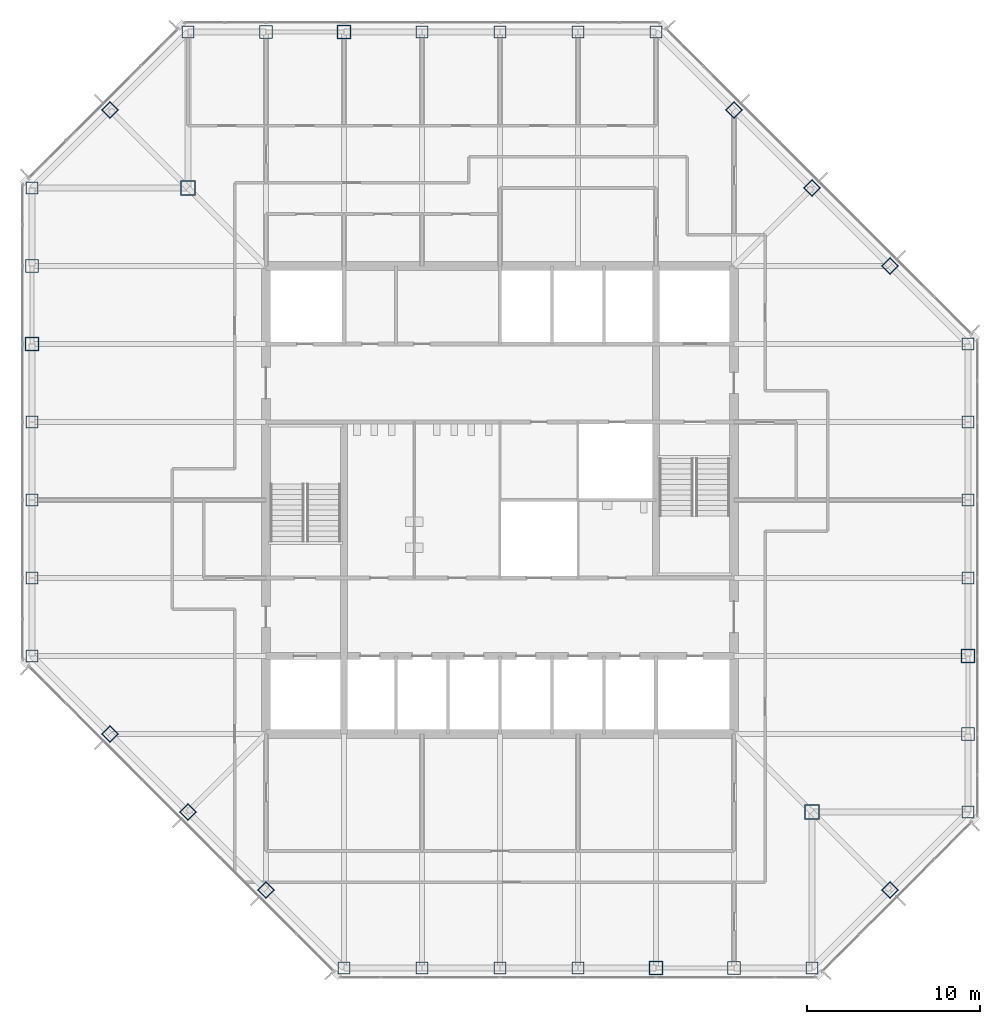
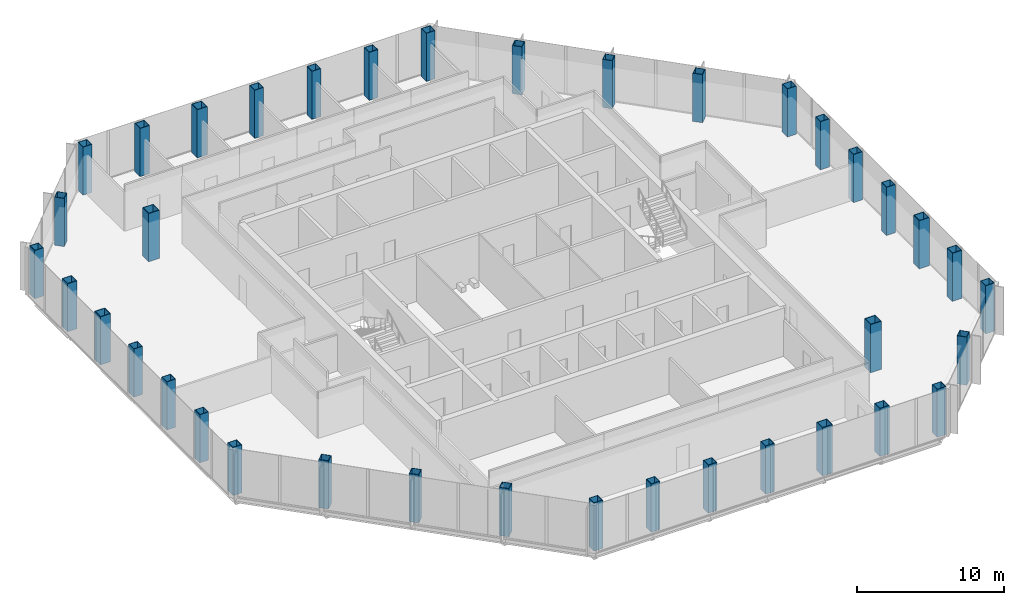
# One storey, part 1 of 13: 38 columns.
"""IFC4 building model written with IfcOpenShell, lengths in metres."""

from ifc_helpers import new_model, si_unit, direction, frame, origin, origin_2d, place, context, subcontext, project, spatial, hollow_rectangle, extrude, material, material_profile, profile_set, type_object, element, save


model = new_model("IFC4")

# Units and contexts
model_context = context("Model", 3, precision=1e-05, world=origin(), true_north=direction((0.0, 1.0)))
body_context = subcontext(model_context, "Body", "Model", "MODEL_VIEW")
ifc_project = project(units=[si_unit("LENGTHUNIT", "METRE"), si_unit("AREAUNIT", "SQUARE_METRE"), si_unit("VOLUMEUNIT", "CUBIC_METRE"), si_unit("PLANEANGLEUNIT", "RADIAN"), si_unit("MASSUNIT", "GRAM", prefix="KILO")], contexts=[model_context])

# Site, building, storey
site_placement = place(None, origin())
site = spatial("IfcSite", under=ifc_project, at=site_placement, CompositionType="ELEMENT")
building_placement = place(site_placement, origin())
building = spatial("IfcBuilding", under=site, at=building_placement, Name="Corais Broadcast Tower", CompositionType="ELEMENT")
storey_placement = place(building_placement, frame((0.0, 0.0, 167.60009765625)))
storey = spatial("IfcBuildingStorey", under=building, at=storey_placement, Name="L38", CompositionType="ELEMENT", Elevation=167.60009765625)

# Columns
ifc_material_1 = material(Name="Steel ASTM A572 Grade 50", Category="steel")
ifc_material_profile_1 = material_profile(ifc_material_1, hollow_rectangle(XDim=0.699951171875, YDim=0.699951171875, WallThickness=0.035888671875, at=origin_2d()), Name="BOX 700x700x36")
ifc_profile_set_1 = profile_set([ifc_material_profile_1], Name="Steel ASTM A572 Grade 50")
column_type_1 = type_object("IfcColumnType", Name="Column BOX 700x700x36", PredefinedType="COLUMN", material=ifc_profile_set_1)
for number, where, z_axis, x_axis, name in (
    (1, (18.0, 0.0, 0.0), (0.0, 0.0, 1.0), (1.0, 0.0, 0.0), "C5 A/7"),
    (2, (22.5, 0.0, 0.0), (0.0, 0.0, 1.0), (1.0, 0.0, 0.0), "C5 A/8"),
    (3, (27.0, 0.0, 0.0), (0.0, 0.0, 1.0), (1.0, 0.0, 0.0), "C5 A/9"),
    (4, (31.5, 0.0, 0.0), (0.0, 0.0, 1.0), (1.0, 0.0, 0.0), "C5 A/10"),
    (5, (45.0, 0.0, 0.0), (0.0, 0.0, 1.0), (1.0, 0.0, 0.0), "C5 A/13"),
    (6, (54.0, 9.0, 0.0), (0.0, 0.0, 1.0), (1.0, 0.0, 0.0), "C5 C/15"),
    (7, (54.0, 22.5, 0.0), (0.0, 0.0, 1.0), (1.0, 0.0, 0.0), "C5 F/15"),
    (8, (54.0, 27.0, 0.0), (0.0, 0.0, 1.0), (1.0, 0.0, 0.0), "C5 G/15"),
    (9, (54.0, 31.5, 0.0), (0.0, 0.0, 1.0), (1.0, 0.0, 0.0), "C5 H/15"),
    (10, (54.0, 36.0, 0.0), (0.0, 0.0, 1.0), (1.0, 0.0, 0.0), "C5 J/15"),
    (11, (36.0, 54.0, 0.0), (0.0, 0.0, 1.0), (1.0, 0.0, 0.0), "C5 N/11"),
    (12, (31.5, 54.0, 0.0), (0.0, 0.0, 1.0), (1.0, 0.0, 0.0), "C5 N/10"),
    (13, (27.0, 54.0, 0.0), (0.0, 0.0, 1.0), (1.0, 0.0, 0.0), "C5 N/9"),
    (14, (22.5, 54.0, 0.0), (0.0, 0.0, 1.0), (1.0, 0.0, 0.0), "C5 N/8"),
    (15, (9.0, 54.0, 0.0), (0.0, 0.0, 1.0), (1.0, 0.0, 0.0), "C5 N/5"),
    (16, (0.0, 45.0, 0.0), (0.0, 0.0, 1.0), (1.0, 0.0, 0.0), "C5 L/3"),
    (17, (0.0, 31.5, 0.0), (0.0, 0.0, 1.0), (1.0, 0.0, 0.0), "C5 H/3"),
    (18, (0.0, 27.0, 0.0), (0.0, 0.0, 1.0), (1.0, 0.0, 0.0), "C5 G/3"),
    (19, (0.0, 22.5, 0.0), (0.0, 0.0, 1.0), (1.0, 0.0, 0.0), "C5 F/3"),
    (20, (0.0, 18.0, 0.0), (0.0, 0.0, 1.0), (1.0, 0.0, 0.0), "C5 E/3"),
    (21, (13.5, 4.5, 0.0), (0.0, 0.0, 1.0), (0.707106781187, 0.707106781187, 0.0), "C5 B/6"),
    (22, (9.0, 9.0, 0.0), (0.0, 0.0, 1.0), (0.707106781187, 0.707106781187, 0.0), "C5 C/5"),
    (23, (4.5, 13.5, 0.0), (0.0, 0.0, 1.0), (0.707106781187, 0.707106781187, 0.0), "C5 D/4"),
    (24, (49.5, 4.5, 0.0), (0.0, 0.0, 1.0), (0.707106781187, 0.707106781187, 0.0), "C5 B/14"),
    (25, (49.5, 40.5, 0.0), (0.0, 0.0, 1.0), (0.707106781187, 0.707106781187, 0.0), "C5 K/14"),
    (26, (45.0, 45.0, 0.0), (0.0, 0.0, 1.0), (0.707106781187, 0.707106781187, 0.0), "C5 L/13"),
    (27, (40.5, 49.5, 0.0), (0.0, 0.0, 1.0), (0.707106781187, 0.707106781187, 0.0), "C5 M/12"),
    (28, (4.5, 49.5, 0.0), (0.0, 0.0, 1.0), (0.707106781187, 0.707106781187, 0.0), "C5 M/4"),
):
    element("IfcColumn", number, at=place(storey_placement, frame(where, z_axis=z_axis, x_axis=x_axis)), inside=storey, type_object=column_type_1, Name=name, PredefinedType="COLUMN", context=body_context, shape_type="SweptSolid", body=[
        extrude(hollow_rectangle(XDim=0.699951171875, YDim=0.699951171875, WallThickness=0.035888671875, at=origin_2d()), origin(), (0.0, 0.0, 1.0), 4.0),
    ])
ifc_material_2 = material(Name="Steel ASTM A572 Grade 50", Category="steel")
ifc_material_profile_2 = material_profile(ifc_material_2, hollow_rectangle(XDim=0.75, YDim=0.75, WallThickness=0.0400390625, at=origin_2d()), Name="BOX 750x750x40")
ifc_profile_set_2 = profile_set([ifc_material_profile_2], Name="Steel ASTM A572 Grade 50")
column_type_2 = type_object("IfcColumnType", Name="Column BOX 750x750x40", PredefinedType="COLUMN", material=ifc_profile_set_2)
for number, where, z_axis, x_axis, name in (
    (29, (40.5, 0.0, 0.0), (0.0, 0.0, 1.0), (1.0, 0.0, 0.0), "C4 A/12"),
    (30, (54.0, 13.5, 0.0), (0.0, 0.0, 1.0), (1.0, 0.0, 0.0), "C4 D/15"),
    (31, (13.5, 54.0, 0.0), (0.0, 0.0, 1.0), (1.0, 0.0, 0.0), "C4 N/6"),
    (32, (0.0, 40.5, 0.0), (0.0, 0.0, 1.0), (1.0, 0.0, 0.0), "C4 K/3"),
):
    element("IfcColumn", number, at=place(storey_placement, frame(where, z_axis=z_axis, x_axis=x_axis)), inside=storey, type_object=column_type_2, Name=name, PredefinedType="COLUMN", context=body_context, shape_type="SweptSolid", body=[
        extrude(hollow_rectangle(XDim=0.75, YDim=0.75, WallThickness=0.0400390625, at=origin_2d()), origin(), (0.0, 0.0, 1.0), 4.0),
    ])
ifc_material_3 = material(Name="Steel ASTM A572 Grade 50", Category="steel")
ifc_material_profile_3 = material_profile(ifc_material_3, hollow_rectangle(XDim=0.800048828125, YDim=0.800048828125, WallThickness=0.044921875, at=origin_2d()), Name="BOX 800x800x45")
ifc_profile_set_3 = profile_set([ifc_material_profile_3], Name="Steel ASTM A572 Grade 50")
column_type_3 = type_object("IfcColumnType", Name="Column BOX 800x800x45", PredefinedType="COLUMN", material=ifc_profile_set_3)
for number, where, z_axis, x_axis, name in (
    (33, (36.0, 0.0, 0.0), (0.0, 0.0, 1.0), (1.0, 0.0, 0.0), "C3 A/11"),
    (34, (54.0, 18.0, 0.0), (0.0, 0.0, 1.0), (1.0, 0.0, 0.0), "C3 E/15"),
    (35, (18.0, 54.0, 0.0), (0.0, 0.0, 1.0), (1.0, 0.0, 0.0), "C3 N/7"),
    (36, (0.0, 36.0, 0.0), (0.0, 0.0, 1.0), (1.0, 0.0, 0.0), "C3 J/3"),
):
    element("IfcColumn", number, at=place(storey_placement, frame(where, z_axis=z_axis, x_axis=x_axis)), inside=storey, type_object=column_type_3, Name=name, PredefinedType="COLUMN", context=body_context, shape_type="SweptSolid", body=[
        extrude(hollow_rectangle(XDim=0.800048828125, YDim=0.800048828125, WallThickness=0.044921875, at=origin_2d()), origin(), (0.0, 0.0, 1.0), 4.0),
    ])
ifc_material_4 = material(Name="Steel ASTM A572 Grade 50", Category="steel")
ifc_material_profile_4 = material_profile(ifc_material_4, hollow_rectangle(XDim=0.85009765625, YDim=0.85009765625, WallThickness=0.050048828125, at=origin_2d()), Name="BOX 850x850x50")
ifc_profile_set_4 = profile_set([ifc_material_profile_4], Name="Steel ASTM A572 Grade 50")
column_type_4 = type_object("IfcColumnType", Name="Column BOX 850x850x50", PredefinedType="COLUMN", material=ifc_profile_set_4)
for number, where, z_axis, x_axis, name in (
    (37, (45.0, 9.0, 0.0), (0.0, 0.0, 1.0), (1.0, 0.0, 0.0), "C1 C/13"),
    (38, (9.0, 45.0, 0.0), (0.0, 0.0, 1.0), (1.0, 0.0, 0.0), "C1 L/5"),
):
    element("IfcColumn", number, at=place(storey_placement, frame(where, z_axis=z_axis, x_axis=x_axis)), inside=storey, type_object=column_type_4, Name=name, PredefinedType="COLUMN", context=body_context, shape_type="SweptSolid", body=[
        extrude(hollow_rectangle(XDim=0.85009765625, YDim=0.85009765625, WallThickness=0.050048828125, at=origin_2d()), origin(), (0.0, 0.0, 1.0), 4.0),
    ])

save(model, "model.ifc")
